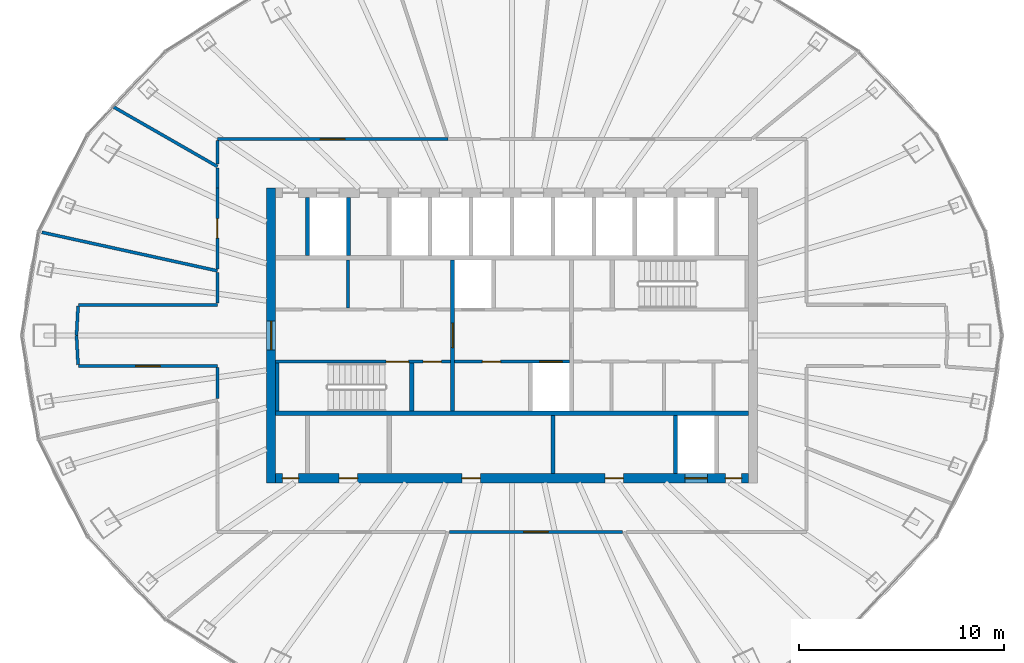
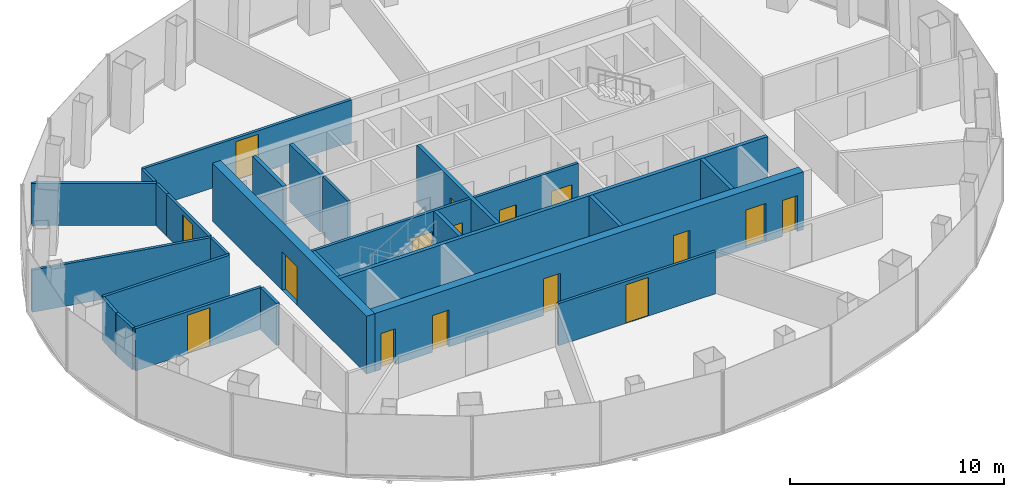
# One storey, part 7 of 10: 26 walls, 16 doors, 16 openings.
"""IFC4 building model written with IfcOpenShell, lengths in metres."""

from ifc_helpers import new_model, si_unit, direction, frame, frame_2d, origin, place, context, subcontext, project, spatial, rectangle, extrude, material, layer, layer_set, type_object, element, fill, save


model = new_model("IFC4")

# Units and contexts
model_context = context("Model", 3, precision=1e-05, world=origin(), true_north=direction((0.0, 1.0)))
body_context = subcontext(model_context, "Body", "Model", "MODEL_VIEW")
ifc_project = project(units=[si_unit("LENGTHUNIT", "METRE"), si_unit("AREAUNIT", "SQUARE_METRE"), si_unit("VOLUMEUNIT", "CUBIC_METRE"), si_unit("PLANEANGLEUNIT", "RADIAN"), si_unit("MASSUNIT", "GRAM", prefix="KILO")], contexts=[model_context])

# Site, building, storey
site_placement = place(None, origin())
site = spatial("IfcSite", under=ifc_project, at=site_placement, CompositionType="ELEMENT")
building_placement = place(site_placement, origin())
building = spatial("IfcBuilding", under=site, at=building_placement, Name="Siaravel Broadcast Tower", CompositionType="ELEMENT")
storey_placement = place(building_placement, frame((0.0, 0.0, 160.800048828125)))
storey = spatial("IfcBuildingStorey", under=building, at=storey_placement, Name="L38", CompositionType="ELEMENT", Elevation=160.800048828125)

# Walls
ifc_material_1 = material(Name="Concrete blockwork", Category="masonry")
ifc_layer_1 = layer(ifc_material_1, 0.14990234375)
ifc_layer_set_1 = layer_set([ifc_layer_1], Name="Concrete blockwork")
wall_type_1 = type_object("IfcWallType", Name="Core partition 150", PredefinedType="PARTITIONING", material=ifc_layer_set_1)
wall_1_placement = place(storey_placement, frame((-8.010009765625, 1.35009765625, 0.0), z_axis=(0.0, 0.0, 1.0), x_axis=(0.0, 1.0, 0.0)))
element("IfcWall", 1, at=wall_1_placement, inside=storey, type_object=wall_type_1, Name="L38 core partition PNW0", PredefinedType="PARTITIONING", context=body_context, shape_type="SweptSolid", body=[
    extrude(rectangle(XDim=2.349853515625, YDim=0.14990234375, at=frame_2d((1.1748046875, 0.0))), origin(), (0.0, 0.0, 1.0), 3.300048828125),
])
ifc_layer_2 = layer(ifc_material_1, 0.199951171875)
ifc_layer_set_2 = layer_set([ifc_layer_2], Name="Concrete blockwork")
wall_type_2 = type_object("IfcWallType", Name="Core partition 200", PredefinedType="PARTITIONING", material=ifc_layer_set_2)
wall_2_placement = place(storey_placement, frame((2.0, -6.75, 0.0), z_axis=(0.0, 0.0, 1.0), x_axis=(0.0, 1.0, 0.0)))
element("IfcWall", 2, at=wall_2_placement, inside=storey, type_object=wall_type_2, Name="L38 core partition PFS2", PredefinedType="PARTITIONING", context=body_context, shape_type="SweptSolid", body=[
    extrude(rectangle(XDim=2.85009765625, YDim=0.199951171875, at=frame_2d((1.425048828125, 0.0))), origin(), (0.0, 0.0, 1.0), 3.300048828125),
])

# Wall, opening, door
ifc_material_2 = material(Name="Concrete C60/75", Category="concrete")
ifc_layer_3 = layer(ifc_material_2, 0.449951171875)
ifc_layer_set_3 = layer_set([ifc_layer_3], Name="Concrete C60/75")
wall_type_3 = type_object("IfcWallType", Name="Core wall 450", PredefinedType="SHEAR", material=ifc_layer_set_3)
wall_3_placement = place(storey_placement, frame((-11.77490234375, -7.199951171875, 0.0), z_axis=(0.0, 0.0, 1.0), x_axis=(0.0, 1.0, 0.0)))
wall_3 = element("IfcWall", 3, at=wall_3_placement, inside=storey, type_object=wall_type_3, Name="L38 core wall OW", PredefinedType="SHEAR", context=body_context, shape_type="SweptSolid", body=[
    extrude(rectangle(XDim=14.39990234375, YDim=0.449951171875, at=frame_2d((7.199951171875, 0.0))), origin(), (0.0, 0.0, 1.0), 3.300048828125),
])
opening_1_placement = place(wall_3_placement, frame((6.5, 0.0, 0.0)))
opening_1 = element("IfcOpeningElement", 4, at=opening_1_placement, cuts=wall_3, Name="Opening L38-DX-W", PredefinedType="OPENING", context=body_context, shape_type="SweptSolid", body=[
    extrude(rectangle(XDim=1.39990234375, YDim=2.199951171875, at=frame_2d((0.699951171875, 1.10009765625))), frame((0.0, 0.23486328125, 0.0), z_axis=(0.0, -1.0, 0.0), x_axis=(1.0, 0.0, 0.0)), (0.0, 0.0, 1.0), 0.469970703125),
])
ifc_material_3 = material(Name="Steel", Category="steel")
door_type_1 = type_object("IfcDoorType", Name="Core exit door 1400", OperationType="DOUBLE_DOOR_SINGLE_SWING", PredefinedType="DOOR", material=ifc_material_3)
door_1_placement = place(opening_1_placement, origin())
door_1 = element("IfcDoor", 5, at=door_1_placement, inside=storey, type_object=door_type_1, Name="L38 door DX-W", OperationType="DOUBLE_DOOR_SINGLE_SWING", OverallHeight=2.199951171875, OverallWidth=1.39990234375, PredefinedType="DOOR", context=body_context, shape_type="SweptSolid", body=[
    extrude(rectangle(XDim=1.39990234375, YDim=2.199951171875, at=frame_2d((0.699951171875, 1.10009765625))), frame((0.0, 0.02490234375, 0.0), z_axis=(0.0, -1.0, 0.0), x_axis=(1.0, 0.0, 0.0)), (0.0, 0.0, 1.0), 0.050048828125),
])
fill(opening_1, door_1)

# Wall, openings, doors
wall_4_placement = place(storey_placement, frame((-11.550048828125, -6.97509765625, 0.0), z_axis=(0.0, 0.0, 1.0), x_axis=(1.0, 0.0, 0.0)))
wall_4 = element("IfcWall", 6, at=wall_4_placement, inside=storey, type_object=wall_type_3, Name="L38 core wall OS", PredefinedType="SHEAR", context=body_context, shape_type="SweptSolid", body=[
    extrude(rectangle(XDim=23.10009765625, YDim=0.449951171875, at=frame_2d((11.550048828125, 0.0))), origin(), (0.0, 0.0, 1.0), 3.300048828125),
])
opening_2_placement = place(wall_4_placement, frame((20.0, 0.0, 0.0)))
opening_2 = element("IfcOpeningElement", 7, at=opening_2_placement, cuts=wall_4, Name="Opening LD-SV1-L38", PredefinedType="OPENING", context=body_context, shape_type="SweptSolid", body=[
    extrude(rectangle(XDim=1.10009765625, YDim=2.199951171875, at=frame_2d((0.550048828125, 1.10009765625))), frame((0.0, 0.23486328125, 0.0), z_axis=(0.0, -1.0, 0.0), x_axis=(1.0, 0.0, 0.0)), (0.0, 0.0, 1.0), 0.469970703125),
])
opening_3_placement = place(wall_4_placement, frame((3.10009765625, 0.0, 0.0)))
opening_3 = element("IfcOpeningElement", 8, at=opening_3_placement, cuts=wall_4, Name="Opening L38-DFS0", PredefinedType="OPENING", context=body_context, shape_type="SweptSolid", body=[
    extrude(rectangle(XDim=0.89990234375, YDim=2.10009765625, at=frame_2d((0.449951171875, 1.050048828125))), frame((0.0, 0.23486328125, 0.0), z_axis=(0.0, -1.0, 0.0), x_axis=(1.0, 0.0, 0.0)), (0.0, 0.0, 1.0), 0.469970703125),
])
opening_4_placement = place(wall_4_placement, frame((9.10009765625, 0.0, 0.0)))
opening_4 = element("IfcOpeningElement", 9, at=opening_4_placement, cuts=wall_4, Name="Opening L38-DFS2", PredefinedType="OPENING", context=body_context, shape_type="SweptSolid", body=[
    extrude(rectangle(XDim=0.89990234375, YDim=2.10009765625, at=frame_2d((0.449951171875, 1.050048828125))), frame((0.0, 0.23486328125, 0.0), z_axis=(0.0, -1.0, 0.0), x_axis=(1.0, 0.0, 0.0)), (0.0, 0.0, 1.0), 0.469970703125),
])
opening_5_placement = place(wall_4_placement, frame((16.10009765625, 0.0, 0.0)))
opening_5 = element("IfcOpeningElement", 10, at=opening_5_placement, cuts=wall_4, Name="Opening L38-DFS6", PredefinedType="OPENING", context=body_context, shape_type="SweptSolid", body=[
    extrude(rectangle(XDim=0.89990234375, YDim=2.10009765625, at=frame_2d((0.449951171875, 1.050048828125))), frame((0.0, 0.23486328125, 0.0), z_axis=(0.0, -1.0, 0.0), x_axis=(1.0, 0.0, 0.0)), (0.0, 0.0, 1.0), 0.469970703125),
])
opening_6_placement = place(wall_4_placement, frame((0.324951171875, 0.0, 0.0)))
opening_6 = element("IfcOpeningElement", 11, at=opening_6_placement, cuts=wall_4, Name="Opening L38-DRSW", PredefinedType="OPENING", context=body_context, shape_type="SweptSolid", body=[
    extrude(rectangle(XDim=0.800048828125, YDim=2.050048828125, at=frame_2d((0.39990234375, 1.02490234375))), frame((0.0, 0.23486328125, 0.0), z_axis=(0.0, -1.0, 0.0), x_axis=(1.0, 0.0, 0.0)), (0.0, 0.0, 1.0), 0.469970703125),
])
opening_7_placement = place(wall_4_placement, frame((21.97509765625, 0.0, 0.0)))
opening_7 = element("IfcOpeningElement", 12, at=opening_7_placement, cuts=wall_4, Name="Opening L38-DRSE", PredefinedType="OPENING", context=body_context, shape_type="SweptSolid", body=[
    extrude(rectangle(XDim=0.800048828125, YDim=2.050048828125, at=frame_2d((0.39990234375, 1.02490234375))), frame((0.0, 0.23486328125, 0.0), z_axis=(0.0, -1.0, 0.0), x_axis=(1.0, 0.0, 0.0)), (0.0, 0.0, 1.0), 0.469970703125),
])
ifc_material_4 = material(Name="Timber veneer", Category="wood")
door_type_2 = type_object("IfcDoorType", Name="Core room door 900", OperationType="SINGLE_SWING_LEFT", PredefinedType="DOOR", material=ifc_material_4)
door_2_placement = place(opening_3_placement, origin())
door_2 = element("IfcDoor", 13, at=door_2_placement, inside=storey, type_object=door_type_2, Name="L38 door DFS0", OperationType="SINGLE_SWING_LEFT", OverallHeight=2.10009765625, OverallWidth=0.89990234375, PredefinedType="DOOR", context=body_context, shape_type="SweptSolid", body=[
    extrude(rectangle(XDim=0.89990234375, YDim=2.10009765625, at=frame_2d((0.449951171875, 1.050048828125))), frame((0.0, 0.02490234375, 0.0), z_axis=(0.0, -1.0, 0.0), x_axis=(1.0, 0.0, 0.0)), (0.0, 0.0, 1.0), 0.050048828125),
])
fill(opening_3, door_2)
door_3_placement = place(opening_4_placement, origin())
door_3 = element("IfcDoor", 14, at=door_3_placement, inside=storey, type_object=door_type_2, Name="L38 door DFS2", OperationType="SINGLE_SWING_LEFT", OverallHeight=2.10009765625, OverallWidth=0.89990234375, PredefinedType="DOOR", context=body_context, shape_type="SweptSolid", body=[
    extrude(rectangle(XDim=0.89990234375, YDim=2.10009765625, at=frame_2d((0.449951171875, 1.050048828125))), frame((0.0, 0.02490234375, 0.0), z_axis=(0.0, -1.0, 0.0), x_axis=(1.0, 0.0, 0.0)), (0.0, 0.0, 1.0), 0.050048828125),
])
fill(opening_4, door_3)
door_4_placement = place(opening_5_placement, origin())
door_4 = element("IfcDoor", 15, at=door_4_placement, inside=storey, type_object=door_type_2, Name="L38 door DFS6", OperationType="SINGLE_SWING_LEFT", OverallHeight=2.10009765625, OverallWidth=0.89990234375, PredefinedType="DOOR", context=body_context, shape_type="SweptSolid", body=[
    extrude(rectangle(XDim=0.89990234375, YDim=2.10009765625, at=frame_2d((0.449951171875, 1.050048828125))), frame((0.0, 0.02490234375, 0.0), z_axis=(0.0, -1.0, 0.0), x_axis=(1.0, 0.0, 0.0)), (0.0, 0.0, 1.0), 0.050048828125),
])
fill(opening_5, door_4)
door_type_3 = type_object("IfcDoorType", Name="Riser door 800", OperationType="SINGLE_SWING_LEFT", PredefinedType="DOOR", material=ifc_material_3)
door_5_placement = place(opening_6_placement, origin())
door_5 = element("IfcDoor", 16, at=door_5_placement, inside=storey, type_object=door_type_3, Name="L38 door DRSW", OperationType="SINGLE_SWING_LEFT", OverallHeight=2.050048828125, OverallWidth=0.800048828125, PredefinedType="DOOR", context=body_context, shape_type="SweptSolid", body=[
    extrude(rectangle(XDim=0.800048828125, YDim=2.050048828125, at=frame_2d((0.39990234375, 1.02490234375))), frame((0.0, 0.02490234375, 0.0), z_axis=(0.0, -1.0, 0.0), x_axis=(1.0, 0.0, 0.0)), (0.0, 0.0, 1.0), 0.050048828125),
])
fill(opening_6, door_5)
door_6_placement = place(opening_7_placement, origin())
door_6 = element("IfcDoor", 17, at=door_6_placement, inside=storey, type_object=door_type_3, Name="L38 door DRSE", OperationType="SINGLE_SWING_LEFT", OverallHeight=2.050048828125, OverallWidth=0.800048828125, PredefinedType="DOOR", context=body_context, shape_type="SweptSolid", body=[
    extrude(rectangle(XDim=0.800048828125, YDim=2.050048828125, at=frame_2d((0.39990234375, 1.02490234375))), frame((0.0, 0.02490234375, 0.0), z_axis=(0.0, -1.0, 0.0), x_axis=(1.0, 0.0, 0.0)), (0.0, 0.0, 1.0), 0.050048828125),
])
fill(opening_7, door_6)
ifc_material_5 = material(Name="Stainless steel 316L", Category="steel")
door_type_4 = type_object("IfcDoorType", Name="Service lift landing door 1100", OperationType="DOUBLE_DOOR_SLIDING", PredefinedType="DOOR", material=ifc_material_5)
door_7_placement = place(opening_2_placement, origin())
door_7 = element("IfcDoor", 18, at=door_7_placement, inside=storey, type_object=door_type_4, Name="Landing door SV1 L38", OperationType="DOUBLE_DOOR_SLIDING", OverallHeight=2.199951171875, OverallWidth=1.10009765625, PredefinedType="DOOR", context=body_context, shape_type="SweptSolid", body=[
    extrude(rectangle(XDim=1.10009765625, YDim=2.199951171875, at=frame_2d((0.550048828125, 1.10009765625))), frame((0.0, 0.02490234375, 0.0), z_axis=(0.0, -1.0, 0.0), x_axis=(1.0, 0.0, 0.0)), (0.0, 0.0, 1.0), 0.050048828125),
])
fill(opening_2, door_7)

# Wall, opening, door
ifc_material_6 = material(Name="Gypsum board partition", Category="gypsum")
ifc_layer_4 = layer(ifc_material_6, 0.14990234375)
ifc_layer_set_4 = layer_set([ifc_layer_4], Name="Gypsum board partition")
wall_type_4 = type_object("IfcWallType", Name="Corridor wall 150", PredefinedType="PARTITIONING", material=ifc_layer_set_4)
wall_5_placement = place(storey_placement, frame((-3.140380859375, 9.60009765625, 0.0), z_axis=(0.0, 0.0, 1.0), x_axis=(-1.0, 0.0, 0.0)))
wall_5 = element("IfcWall", 19, at=wall_5_placement, inside=storey, type_object=wall_type_4, Name="L38 partition 1", PredefinedType="PARTITIONING", context=body_context, shape_type="SweptSolid", body=[
    extrude(rectangle(XDim=11.259521484375, YDim=0.14990234375, at=frame_2d((5.6298828125, 0.0))), origin(), (0.0, 0.0, 1.0), 2.39990234375),
])
opening_8_placement = place(wall_5_placement, frame((5.02978515625, 0.0, 0.0)))
opening_8 = element("IfcOpeningElement", 20, at=opening_8_placement, cuts=wall_5, Name="Opening L38-004", PredefinedType="OPENING", context=body_context, shape_type="SweptSolid", body=[
    extrude(rectangle(XDim=1.199951171875, YDim=2.199951171875, at=frame_2d((0.60009765625, 1.10009765625))), frame((0.0, 0.0849609375, 0.0), z_axis=(0.0, -1.0, 0.0), x_axis=(1.0, 0.0, 0.0)), (0.0, 0.0, 1.0), 0.169921875),
])
door_type_5 = type_object("IfcDoorType", Name="Office double door 1200", OperationType="DOUBLE_DOOR_SINGLE_SWING", PredefinedType="DOOR", material=ifc_material_4)
door_8_placement = place(opening_8_placement, origin())
door_8 = element("IfcDoor", 21, at=door_8_placement, inside=storey, type_object=door_type_5, Name="L38 door to Open plan office", OperationType="DOUBLE_DOOR_SINGLE_SWING", OverallHeight=2.199951171875, OverallWidth=1.199951171875, PredefinedType="DOOR", context=body_context, shape_type="SweptSolid", body=[
    extrude(rectangle(XDim=1.199951171875, YDim=2.199951171875, at=frame_2d((0.60009765625, 1.10009765625))), frame((0.0, 0.02490234375, 0.0), z_axis=(0.0, -1.0, 0.0), x_axis=(1.0, 0.0, 0.0)), (0.0, 0.0, 1.0), 0.050048828125),
])
fill(opening_8, door_8)

wall_6_placement = place(storey_placement, frame((-3.067138671875, -9.60009765625, 0.0), z_axis=(0.0, 0.0, 1.0), x_axis=(1.0, 0.0, 0.0)))
wall_6 = element("IfcWall", 22, at=wall_6_placement, inside=storey, type_object=wall_type_4, Name="L38 partition 10", PredefinedType="PARTITIONING", context=body_context, shape_type="SweptSolid", body=[
    extrude(rectangle(XDim=8.465087890625, YDim=0.14990234375, at=frame_2d((4.232421875, 0.0))), origin(), (0.0, 0.0, 1.0), 2.39990234375),
])
opening_9_placement = place(wall_6_placement, frame((3.632568359375, 0.0, 0.0)))
opening_9 = element("IfcOpeningElement", 23, at=opening_9_placement, cuts=wall_6, Name="Opening L38-009", PredefinedType="OPENING", context=body_context, shape_type="SweptSolid", body=[
    extrude(rectangle(XDim=1.199951171875, YDim=2.199951171875, at=frame_2d((0.60009765625, 1.10009765625))), frame((0.0, 0.0849609375, 0.0), z_axis=(0.0, -1.0, 0.0), x_axis=(1.0, 0.0, 0.0)), (0.0, 0.0, 1.0), 0.169921875),
])
door_9_placement = place(opening_9_placement, origin())
door_9 = element("IfcDoor", 24, at=door_9_placement, inside=storey, type_object=door_type_5, Name="L38 door to Open plan office", OperationType="DOUBLE_DOOR_SINGLE_SWING", OverallHeight=2.199951171875, OverallWidth=1.199951171875, PredefinedType="DOOR", context=body_context, shape_type="SweptSolid", body=[
    extrude(rectangle(XDim=1.199951171875, YDim=2.199951171875, at=frame_2d((0.60009765625, 1.10009765625))), frame((0.0, 0.02490234375, 0.0), z_axis=(0.0, -1.0, 0.0), x_axis=(1.0, 0.0, 0.0)), (0.0, 0.0, 1.0), 0.050048828125),
])
fill(opening_9, door_9)

wall_7_placement = place(storey_placement, frame((-21.20166015625, -1.5, 0.0), z_axis=(0.0, 0.0, 1.0), x_axis=(1.0, 0.0, 0.0)))
wall_7 = element("IfcWall", 25, at=wall_7_placement, inside=storey, type_object=wall_type_4, Name="L38 partition 13", PredefinedType="PARTITIONING", context=body_context, shape_type="SweptSolid", body=[
    extrude(rectangle(XDim=6.8017578125, YDim=0.14990234375, at=frame_2d((3.40087890625, 0.0))), origin(), (0.0, 0.0, 1.0), 2.39990234375),
])
opening_10_placement = place(wall_7_placement, frame((2.80078125, 0.0, 0.0)))
opening_10 = element("IfcOpeningElement", 26, at=opening_10_placement, cuts=wall_7, Name="Opening L38-006", PredefinedType="OPENING", context=body_context, shape_type="SweptSolid", body=[
    extrude(rectangle(XDim=1.199951171875, YDim=2.199951171875, at=frame_2d((0.60009765625, 1.10009765625))), frame((0.0, 0.0849609375, 0.0), z_axis=(0.0, -1.0, 0.0), x_axis=(1.0, 0.0, 0.0)), (0.0, 0.0, 1.0), 0.169921875),
])
door_10_placement = place(opening_10_placement, origin())
door_10 = element("IfcDoor", 27, at=door_10_placement, inside=storey, type_object=door_type_5, Name="L38 door to Open plan office", OperationType="DOUBLE_DOOR_SINGLE_SWING", OverallHeight=2.199951171875, OverallWidth=1.199951171875, PredefinedType="DOOR", context=body_context, shape_type="SweptSolid", body=[
    extrude(rectangle(XDim=1.199951171875, YDim=2.199951171875, at=frame_2d((0.60009765625, 1.10009765625))), frame((0.0, 0.02490234375, 0.0), z_axis=(0.0, -1.0, 0.0), x_axis=(1.0, 0.0, 0.0)), (0.0, 0.0, 1.0), 0.050048828125),
])
fill(opening_10, door_10)

# Wall
wall_8_placement = place(storey_placement, frame((-14.39990234375, 1.5, 0.0), z_axis=(0.0, 0.0, 1.0), x_axis=(-1.0, 0.0, 0.0)))
element("IfcWall", 28, at=wall_8_placement, inside=storey, type_object=wall_type_4, Name="L38 partition 14", PredefinedType="PARTITIONING", context=body_context, shape_type="SweptSolid", body=[
    extrude(rectangle(XDim=6.8017578125, YDim=0.14990234375, at=frame_2d((3.40087890625, 0.0))), origin(), (0.0, 0.0, 1.0), 2.39990234375),
])

# Wall, opening, door
wall_9_placement = place(storey_placement, frame((-14.39990234375, 7.2119140625, 0.0), z_axis=(0.0, 0.0, 1.0), x_axis=(0.0, -1.0, 0.0)))
wall_9 = element("IfcWall", 29, at=wall_9_placement, inside=storey, type_object=wall_type_4, Name="L38 partition 23", PredefinedType="PARTITIONING", context=body_context, shape_type="SweptSolid", body=[
    extrude(rectangle(XDim=3.9560546875, YDim=0.14990234375, at=frame_2d((1.97802734375, 0.0))), origin(), (0.0, 0.0, 1.0), 2.39990234375),
])
opening_11_placement = place(wall_9_placement, frame((1.503173828125, 0.0, 0.0)))
opening_11 = element("IfcOpeningElement", 30, at=opening_11_placement, cuts=wall_9, Name="Opening L38-005", PredefinedType="OPENING", context=body_context, shape_type="SweptSolid", body=[
    extrude(rectangle(XDim=0.949951171875, YDim=2.14990234375, at=frame_2d((0.47509765625, 1.074951171875))), frame((0.0, 0.0849609375, 0.0), z_axis=(0.0, -1.0, 0.0), x_axis=(1.0, 0.0, 0.0)), (0.0, 0.0, 1.0), 0.169921875),
])
door_type_6 = type_object("IfcDoorType", Name="Office door 950", OperationType="SINGLE_SWING_LEFT", PredefinedType="DOOR", material=ifc_material_4)
door_11_placement = place(opening_11_placement, origin())
door_11 = element("IfcDoor", 31, at=door_11_placement, inside=storey, type_object=door_type_6, Name="L38 door to Reception", OperationType="SINGLE_SWING_LEFT", OverallHeight=2.14990234375, OverallWidth=0.949951171875, PredefinedType="DOOR", context=body_context, shape_type="SweptSolid", body=[
    extrude(rectangle(XDim=0.949951171875, YDim=2.14990234375, at=frame_2d((0.47509765625, 1.074951171875))), frame((0.0, 0.02490234375, 0.0), z_axis=(0.0, -1.0, 0.0), x_axis=(1.0, 0.0, 0.0)), (0.0, 0.0, 1.0), 0.050048828125),
])
fill(opening_11, door_11)

# Walls
for number, where, z_axis, x_axis, name in (
    (32, (-14.39990234375, -1.576904296875, 0.0), (0.0, 0.0, 1.0), (0.0, -1.0, 0.0), "L38 partition 32"),
    (33, (-14.39990234375, 3.085205078125, 0.0), (0.0, 0.0, 1.0), (0.0, -1.0, 0.0), "L38 partition 33"),
):
    element("IfcWall", number, at=place(storey_placement, frame(where, z_axis=z_axis, x_axis=x_axis)), inside=storey, type_object=wall_type_4, Name=name, PredefinedType="PARTITIONING", context=body_context, shape_type="SweptSolid", body=[
        extrude(rectangle(XDim=1.50830078125, YDim=0.14990234375, at=frame_2d((0.754150390625, 0.0))), origin(), (0.0, 0.0, 1.0), 2.39990234375),
    ])
wall_10_placement = place(storey_placement, frame((-21.289306640625, 0.0, 0.0), z_axis=(0.0, 0.0, 1.0), x_axis=(0.053239493, -0.998581773, 0.0)))
element("IfcWall", 34, at=wall_10_placement, inside=storey, type_object=wall_type_4, Name="L38 partition 35", PredefinedType="PARTITIONING", context=body_context, shape_type="SweptSolid", body=[
    extrude(rectangle(XDim=1.4306640625, YDim=0.14990234375, at=frame_2d((0.71533203125, 0.0))), origin(), (0.0, 0.0, 1.0), 2.39990234375),
])
wall_11_placement = place(storey_placement, frame((-21.213134765625, 1.4287109375, 0.0), z_axis=(0.0, 0.0, 1.0), x_axis=(-0.053271351, -0.998580073, 0.0)))
element("IfcWall", 35, at=wall_11_placement, inside=storey, type_object=wall_type_4, Name="L38 partition 36", PredefinedType="PARTITIONING", context=body_context, shape_type="SweptSolid", body=[
    extrude(rectangle(XDim=1.420654296875, YDim=0.14990234375, at=frame_2d((0.71044921875, 0.0))), origin(), (0.0, 0.0, 1.0), 2.39990234375),
])
wall_12_placement = place(storey_placement, frame((-14.39990234375, 9.52294921875, 0.0), z_axis=(0.0, 0.0, 1.0), x_axis=(0.0, -1.0, 0.0)))
element("IfcWall", 36, at=wall_12_placement, inside=storey, type_object=wall_type_4, Name="L38 partition 38", PredefinedType="PARTITIONING", context=body_context, shape_type="SweptSolid", body=[
    extrude(rectangle(XDim=1.13232421875, YDim=0.14990234375, at=frame_2d((0.566162109375, 0.0))), origin(), (0.0, 0.0, 1.0), 2.39990234375),
])
wall_13_placement = place(storey_placement, frame((-14.39990234375, 8.192138671875, 0.0), z_axis=(0.0, 0.0, 1.0), x_axis=(0.0, -1.0, 0.0)))
element("IfcWall", 37, at=wall_13_placement, inside=storey, type_object=wall_type_4, Name="L38 partition 39", PredefinedType="PARTITIONING", context=body_context, shape_type="SweptSolid", body=[
    extrude(rectangle(XDim=0.979248046875, YDim=0.14990234375, at=frame_2d((0.48974609375, 0.0))), origin(), (0.0, 0.0, 1.0), 2.39990234375),
])
ifc_layer_5 = layer(ifc_material_6, 0.14990234375)
ifc_layer_set_5 = layer_set([ifc_layer_5], Name="Gypsum board partition")
wall_type_5 = type_object("IfcWallType", Name="Room partition 150", PredefinedType="PARTITIONING", material=ifc_layer_set_5)
wall_14_placement = place(storey_placement, frame((-22.980712890625, 5.0439453125, 0.0), z_axis=(0.0, 0.0, 1.0), x_axis=(0.976745479, -0.214402122, 0.0)))
element("IfcWall", 38, at=wall_14_placement, inside=storey, type_object=wall_type_5, Name="L38 partition 8", PredefinedType="PARTITIONING", context=body_context, shape_type="SweptSolid", body=[
    extrude(rectangle(XDim=8.78515625, YDim=0.14990234375, at=frame_2d((4.392578125, 0.0))), origin(), (0.0, 0.0, 1.0), 2.39990234375),
])
wall_15_placement = place(storey_placement, frame((-19.483154296875, 11.174560546875, 0.0), z_axis=(0.0, 0.0, 1.0), x_axis=(0.867447243, -0.497529176, 0.0)))
element("IfcWall", 39, at=wall_15_placement, inside=storey, type_object=wall_type_5, Name="L38 partition 19", PredefinedType="PARTITIONING", context=body_context, shape_type="SweptSolid", body=[
    extrude(rectangle(XDim=5.860107421875, YDim=0.14990234375, at=frame_2d((2.93017578125, 0.0))), origin(), (0.0, 0.0, 1.0), 2.39990234375),
])

# Wall, openings, doors
ifc_layer_6 = layer(ifc_material_2, 0.14990234375)
ifc_layer_set_6 = layer_set([ifc_layer_6], Name="Concrete C60/75")
wall_type_6 = type_object("IfcWallType", Name="Shaft wall 150", PredefinedType="SHEAR", material=ifc_layer_set_6)
wall_16_placement = place(storey_placement, frame((-11.550048828125, -1.27490234375, 0.0), z_axis=(0.0, 0.0, 1.0), x_axis=(1.0, 0.0, 0.0)))
wall_16 = element("IfcWall", 40, at=wall_16_placement, inside=storey, type_object=wall_type_6, Name="L38 core wall CSW", PredefinedType="SHEAR", context=body_context, shape_type="SweptSolid", body=[
    extrude(rectangle(XDim=8.550048828125, YDim=0.14990234375, at=frame_2d((4.27490234375, 0.0))), origin(), (0.0, 0.0, 1.0), 3.300048828125),
])
opening_12_placement = place(wall_16_placement, frame((5.39990234375, 0.0, 0.0)))
opening_12 = element("IfcOpeningElement", 41, at=opening_12_placement, cuts=wall_16, Name="Opening L38-DS-1", PredefinedType="OPENING", context=body_context, shape_type="SweptSolid", body=[
    extrude(rectangle(XDim=1.10009765625, YDim=2.14990234375, at=frame_2d((0.550048828125, 1.074951171875))), frame((0.0, 0.0849609375, 0.0), z_axis=(0.0, -1.0, 0.0), x_axis=(1.0, 0.0, 0.0)), (0.0, 0.0, 1.0), 0.169921875),
])
opening_13_placement = place(wall_16_placement, frame((7.199951171875, 0.0, 0.0)))
opening_13 = element("IfcOpeningElement", 42, at=opening_13_placement, cuts=wall_16, Name="Opening L38-DSW0", PredefinedType="OPENING", context=body_context, shape_type="SweptSolid", body=[
    extrude(rectangle(XDim=0.89990234375, YDim=2.10009765625, at=frame_2d((0.449951171875, 1.050048828125))), frame((0.0, 0.0849609375, 0.0), z_axis=(0.0, -1.0, 0.0), x_axis=(1.0, 0.0, 0.0)), (0.0, 0.0, 1.0), 0.169921875),
])
door_12_placement = place(opening_13_placement, origin())
door_12 = element("IfcDoor", 43, at=door_12_placement, inside=storey, type_object=door_type_2, Name="L38 door DSW0", OperationType="SINGLE_SWING_LEFT", OverallHeight=2.10009765625, OverallWidth=0.89990234375, PredefinedType="DOOR", context=body_context, shape_type="SweptSolid", body=[
    extrude(rectangle(XDim=0.89990234375, YDim=2.10009765625, at=frame_2d((0.449951171875, 1.050048828125))), frame((0.0, 0.02490234375, 0.0), z_axis=(0.0, -1.0, 0.0), x_axis=(1.0, 0.0, 0.0)), (0.0, 0.0, 1.0), 0.050048828125),
])
fill(opening_13, door_12)
door_type_7 = type_object("IfcDoorType", Name="Stair door 1100", OperationType="SINGLE_SWING_LEFT", PredefinedType="DOOR", material=ifc_material_3)
door_13_placement = place(opening_12_placement, origin())
door_13 = element("IfcDoor", 44, at=door_13_placement, inside=storey, type_object=door_type_7, Name="L38 door DS-1", OperationType="SINGLE_SWING_LEFT", OverallHeight=2.14990234375, OverallWidth=1.10009765625, PredefinedType="DOOR", context=body_context, shape_type="SweptSolid", body=[
    extrude(rectangle(XDim=1.10009765625, YDim=2.14990234375, at=frame_2d((0.550048828125, 1.074951171875))), frame((0.0, 0.02490234375, 0.0), z_axis=(0.0, -1.0, 0.0), x_axis=(1.0, 0.0, 0.0)), (0.0, 0.0, 1.0), 0.050048828125),
])
fill(opening_12, door_13)

wall_17_placement = place(storey_placement, frame((-2.800048828125, -1.27490234375, 0.0), z_axis=(0.0, 0.0, 1.0), x_axis=(1.0, 0.0, 0.0)))
wall_17 = element("IfcWall", 45, at=wall_17_placement, inside=storey, type_object=wall_type_6, Name="L38 core wall CSM", PredefinedType="SHEAR", context=body_context, shape_type="SweptSolid", body=[
    extrude(rectangle(XDim=5.60009765625, YDim=0.14990234375, at=frame_2d((2.800048828125, 0.0))), origin(), (0.0, 0.0, 1.0), 3.300048828125),
])
opening_14_placement = place(wall_17_placement, frame((4.14990234375, 0.0, 0.0)))
opening_14 = element("IfcOpeningElement", 46, at=opening_14_placement, cuts=wall_17, Name="Opening LD-FL2-L38", PredefinedType="OPENING", context=body_context, shape_type="SweptSolid", body=[
    extrude(rectangle(XDim=1.10009765625, YDim=2.199951171875, at=frame_2d((0.550048828125, 1.10009765625))), frame((0.0, 0.0849609375, 0.0), z_axis=(0.0, -1.0, 0.0), x_axis=(1.0, 0.0, 0.0)), (0.0, 0.0, 1.0), 0.169921875),
])
opening_15_placement = place(wall_17_placement, frame((1.35009765625, 0.0, 0.0)))
opening_15 = element("IfcOpeningElement", 47, at=opening_15_placement, cuts=wall_17, Name="Opening L38-DSM0", PredefinedType="OPENING", context=body_context, shape_type="SweptSolid", body=[
    extrude(rectangle(XDim=0.89990234375, YDim=2.10009765625, at=frame_2d((0.449951171875, 1.050048828125))), frame((0.0, 0.0849609375, 0.0), z_axis=(0.0, -1.0, 0.0), x_axis=(1.0, 0.0, 0.0)), (0.0, 0.0, 1.0), 0.169921875),
])
door_14_placement = place(opening_15_placement, origin())
door_14 = element("IfcDoor", 48, at=door_14_placement, inside=storey, type_object=door_type_2, Name="L38 door DSM0", OperationType="SINGLE_SWING_LEFT", OverallHeight=2.10009765625, OverallWidth=0.89990234375, PredefinedType="DOOR", context=body_context, shape_type="SweptSolid", body=[
    extrude(rectangle(XDim=0.89990234375, YDim=2.10009765625, at=frame_2d((0.449951171875, 1.050048828125))), frame((0.0, 0.02490234375, 0.0), z_axis=(0.0, -1.0, 0.0), x_axis=(1.0, 0.0, 0.0)), (0.0, 0.0, 1.0), 0.050048828125),
])
fill(opening_15, door_14)
door_type_8 = type_object("IfcDoorType", Name="Firefighting lift landing door 1100", OperationType="DOUBLE_DOOR_SLIDING", PredefinedType="DOOR", material=ifc_material_5)
door_15_placement = place(opening_14_placement, origin())
door_15 = element("IfcDoor", 49, at=door_15_placement, inside=storey, type_object=door_type_8, Name="Landing door FL2 L38", OperationType="DOUBLE_DOOR_SLIDING", OverallHeight=2.199951171875, OverallWidth=1.10009765625, PredefinedType="DOOR", context=body_context, shape_type="SweptSolid", body=[
    extrude(rectangle(XDim=1.10009765625, YDim=2.199951171875, at=frame_2d((0.550048828125, 1.10009765625))), frame((0.0, 0.02490234375, 0.0), z_axis=(0.0, -1.0, 0.0), x_axis=(1.0, 0.0, 0.0)), (0.0, 0.0, 1.0), 0.050048828125),
])
fill(opening_14, door_15)

# Walls
wall_18_placement = place(storey_placement, frame((-11.47509765625, -3.699951171875, 0.0), z_axis=(0.0, 0.0, 1.0), x_axis=(0.0, 1.0, 0.0)))
element("IfcWall", 50, at=wall_18_placement, inside=storey, type_object=wall_type_6, Name="L38 core wall ST1W", PredefinedType="SHEAR", context=body_context, shape_type="SweptSolid", body=[
    extrude(rectangle(XDim=2.349853515625, YDim=0.14990234375, at=frame_2d((1.1748046875, 0.0))), origin(), (0.0, 0.0, 1.0), 3.300048828125),
])
ifc_layer_7 = layer(ifc_material_2, 0.199951171875)
ifc_layer_set_7 = layer_set([ifc_layer_7], Name="Concrete C60/75")
wall_type_7 = type_object("IfcWallType", Name="Shaft wall 200", PredefinedType="SHEAR", material=ifc_layer_set_7)
wall_19_placement = place(storey_placement, frame((-11.550048828125, -3.800048828125, 0.0), z_axis=(0.0, 0.0, 1.0), x_axis=(1.0, 0.0, 0.0)))
element("IfcWall", 51, at=wall_19_placement, inside=storey, type_object=wall_type_7, Name="L38 core wall BS", PredefinedType="SHEAR", context=body_context, shape_type="SweptSolid", body=[
    extrude(rectangle(XDim=23.10009765625, YDim=0.199951171875, at=frame_2d((11.550048828125, 0.0))), origin(), (0.0, 0.0, 1.0), 3.300048828125),
])
for number, where, z_axis, x_axis, name in (
    (52, (8.0, -6.75, 0.0), (0.0, 0.0, 1.0), (0.0, 1.0, 0.0), "L38 core wall SWS9"),
    (53, (-10.0, 3.89990234375, 0.0), (0.0, 0.0, 1.0), (0.0, 1.0, 0.0), "L38 core wall SWN0"),
    (54, (-8.0, 3.89990234375, 0.0), (0.0, 0.0, 1.0), (0.0, 1.0, 0.0), "L38 core wall SWN1"),
):
    element("IfcWall", number, at=place(storey_placement, frame(where, z_axis=z_axis, x_axis=x_axis)), inside=storey, type_object=wall_type_7, Name=name, PredefinedType="SHEAR", context=body_context, shape_type="SweptSolid", body=[
        extrude(rectangle(XDim=2.85009765625, YDim=0.199951171875, at=frame_2d((1.425048828125, 0.0))), origin(), (0.0, 0.0, 1.0), 3.300048828125),
    ])

# Wall, opening, door
wall_20_placement = place(storey_placement, frame((-2.89990234375, -3.699951171875, 0.0), z_axis=(0.0, 0.0, 1.0), x_axis=(0.0, 1.0, 0.0)))
wall_20 = element("IfcWall", 55, at=wall_20_placement, inside=storey, type_object=wall_type_7, Name="L38 core wall LW", PredefinedType="SHEAR", context=body_context, shape_type="SweptSolid", body=[
    extrude(rectangle(XDim=7.39990234375, YDim=0.199951171875, at=frame_2d((3.699951171875, 0.0))), origin(), (0.0, 0.0, 1.0), 3.300048828125),
])
opening_16_placement = place(wall_20_placement, frame((3.10009765625, 0.0, 0.0)))
opening_16 = element("IfcOpeningElement", 56, at=opening_16_placement, cuts=wall_20, Name="Opening L38-DL-W", PredefinedType="OPENING", context=body_context, shape_type="SweptSolid", body=[
    extrude(rectangle(XDim=1.199951171875, YDim=2.199951171875, at=frame_2d((0.60009765625, 1.10009765625))), frame((0.0, 0.10986328125, 0.0), z_axis=(0.0, -1.0, 0.0), x_axis=(1.0, 0.0, 0.0)), (0.0, 0.0, 1.0), 0.219970703125),
])
door_type_9 = type_object("IfcDoorType", Name="Firefighting lobby door 1200", OperationType="SINGLE_SWING_LEFT", PredefinedType="DOOR", material=ifc_material_3)
door_16_placement = place(opening_16_placement, origin())
door_16 = element("IfcDoor", 57, at=door_16_placement, inside=storey, type_object=door_type_9, Name="L38 door DL-W", OperationType="SINGLE_SWING_LEFT", OverallHeight=2.199951171875, OverallWidth=1.199951171875, PredefinedType="DOOR", context=body_context, shape_type="SweptSolid", body=[
    extrude(rectangle(XDim=1.199951171875, YDim=2.199951171875, at=frame_2d((0.60009765625, 1.10009765625))), frame((0.0, 0.02490234375, 0.0), z_axis=(0.0, -1.0, 0.0), x_axis=(1.0, 0.0, 0.0)), (0.0, 0.0, 1.0), 0.050048828125),
])
fill(opening_16, door_16)

# Wall
wall_21_placement = place(storey_placement, frame((-4.89990234375, -3.699951171875, 0.0), z_axis=(0.0, 0.0, 1.0), x_axis=(0.0, 1.0, 0.0)))
element("IfcWall", 58, at=wall_21_placement, inside=storey, type_object=wall_type_7, Name="L38 core wall ST1E", PredefinedType="SHEAR", context=body_context, shape_type="SweptSolid", body=[
    extrude(rectangle(XDim=2.349853515625, YDim=0.199951171875, at=frame_2d((1.1748046875, 0.0))), origin(), (0.0, 0.0, 1.0), 3.300048828125),
])

save(model, "model.ifc")
